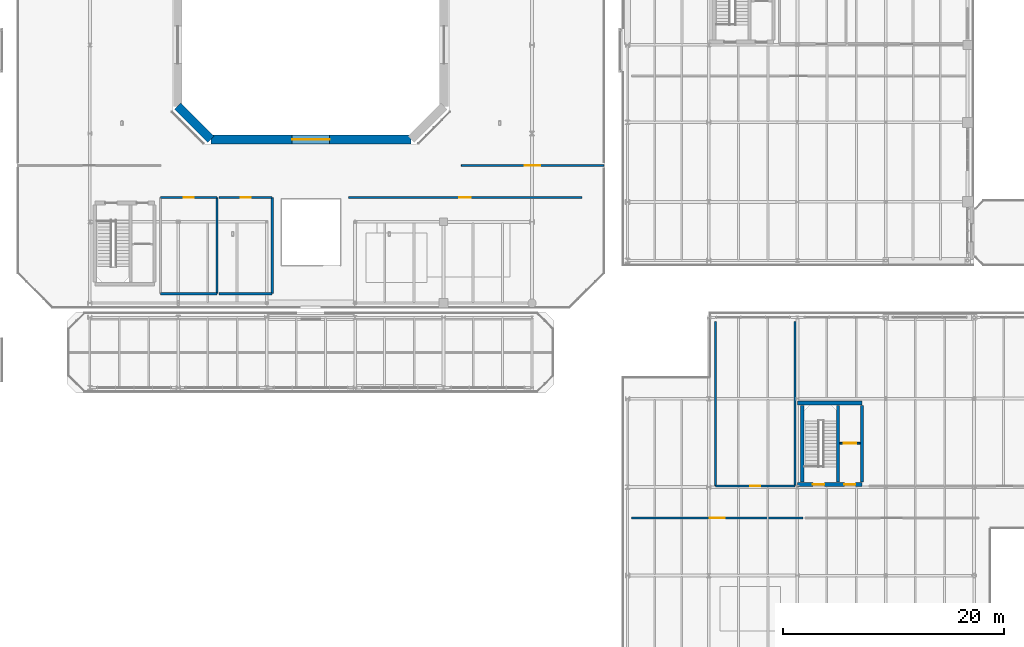
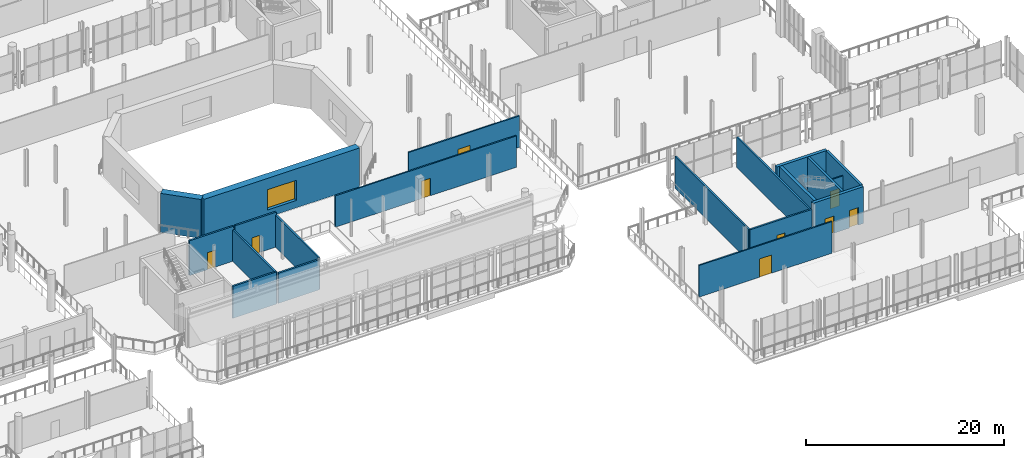
# One storey, part 70 of 93: 20 walls, 9 doors, 1 window, 10 openings.
"""IFC4 building model written with IfcOpenShell, lengths in metres."""

from ifc_helpers import new_model, si_unit, direction, frame, frame_2d, origin, place, context, subcontext, project, spatial, rectangle, extrude, material, layer, layer_set, type_object, element, fill, save


model = new_model("IFC4")

# Units and contexts
model_context = context("Model", 3, precision=1e-05, world=origin(), true_north=direction((0.0, 1.0)))
body_context = subcontext(model_context, "Body", "Model", "MODEL_VIEW")
ifc_project = project(units=[si_unit("LENGTHUNIT", "METRE"), si_unit("AREAUNIT", "SQUARE_METRE"), si_unit("VOLUMEUNIT", "CUBIC_METRE"), si_unit("PLANEANGLEUNIT", "RADIAN"), si_unit("MASSUNIT", "GRAM", prefix="KILO")], contexts=[model_context])

# Site, building, storey
site_placement = place(None, origin())
site = spatial("IfcSite", under=ifc_project, at=site_placement, CompositionType="ELEMENT")
building_placement = place(site_placement, origin())
building = spatial("IfcBuilding", under=site, at=building_placement, Name="Brisemont Oceanarium", CompositionType="ELEMENT")
storey_placement = place(building_placement, frame((0.0, 0.0, 5.39990234375)))
storey = spatial("IfcBuildingStorey", under=building, at=storey_placement, Name="L01", CompositionType="ELEMENT", Elevation=5.39990234375)

# Wall, opening, door
ifc_material_1 = material(Name="Moisture-Resistant Gypsum Steel-Stud Partition", Category="steel")
ifc_layer_1 = layer(ifc_material_1, 0.159912109375)
ifc_layer_set_1 = layer_set([ifc_layer_1], Name="Moisture-Resistant Gypsum Steel-Stud Partition")
wall_type_1 = type_object("IfcWallType", Name="IW-FB-160", PredefinedType="PARTITIONING", material=ifc_layer_set_1)
wall_1_placement = place(storey_placement, frame((131.85009765625, 19.969970703125, 0.0), z_axis=(0.0, 0.0, 1.0), x_axis=(1.0, 0.0, 0.0)))
wall_1 = element("IfcWall", 1, at=wall_1_placement, inside=storey, type_object=wall_type_1, Name="Core C4 L01 lift hoistway front wall", PredefinedType="PARTITIONING", context=body_context, shape_type="SweptSolid", body=[
    extrude(rectangle(XDim=1.83984375, YDim=0.159912109375, at=frame_2d((0.919921875, 0.0))), origin(), (0.0, 0.0, 1.0), 3.60009765625),
])
opening_1_placement = place(wall_1_placement, frame((0.3701171875, 0.0, 0.0)))
opening_1 = element("IfcOpeningElement", 2, at=opening_1_placement, cuts=wall_1, Name="Opening LD-01", PredefinedType="OPENING", context=body_context, shape_type="SweptSolid", body=[
    extrude(rectangle(XDim=1.10009765625, YDim=2.14990234375, at=frame_2d((0.550048828125, 1.074951171875))), frame((0.0, 0.08984375, 0.0), z_axis=(0.0, -1.0, 0.0), x_axis=(1.0, 0.0, 0.0)), (0.0, 0.0, 1.0), 0.179931640625),
])
ifc_material_2 = material(Name="Duplex Stainless Steel EN 1.4462", Category="steel")
door_type_1 = type_object("IfcDoorType", Name="DR-LIFT-1100X2150", OperationType="NOTDEFINED", PredefinedType="DOOR", material=ifc_material_2)
door_1_placement = place(opening_1_placement, origin())
door_1 = element("IfcDoor", 3, at=door_1_placement, inside=storey, type_object=door_type_1, Name="Lift landing door LF-04 L01", OperationType="SLIDING_TO_LEFT", OverallHeight=2.14990234375, OverallWidth=1.10009765625, PredefinedType="DOOR", context=body_context, shape_type="SweptSolid", body=[
    extrude(rectangle(XDim=1.10009765625, YDim=2.14990234375, at=frame_2d((0.550048828125, 1.074951171875))), frame((0.0, 0.02490234375, 0.0), z_axis=(0.0, -1.0, 0.0), x_axis=(1.0, 0.0, 0.0)), (0.0, 0.0, 1.0), 0.050048828125),
])
fill(opening_1, door_1)

wall_2_placement = place(storey_placement, frame((87.39990234375, 42.199951171875, 0.0), z_axis=(0.0, 0.0, 1.0), x_axis=(1.0, 0.0, 0.0)))
wall_2 = element("IfcWall", 4, at=wall_2_placement, inside=storey, type_object=wall_type_1, Name="Ocean Tank Mid-Water Pelagic Exhibit Gallery corridor partition", PredefinedType="PARTITIONING", context=body_context, shape_type="SweptSolid", body=[
    extrude(rectangle(XDim=21.10009765625, YDim=0.159912109375, at=frame_2d((10.550048828125, 0.0))), origin(), (0.0, 0.0, 1.0), 3.8681640625),
])
opening_2_placement = place(wall_2_placement, frame((10.0400390625, 0.0, 0.0)))
opening_2 = element("IfcOpeningElement", 5, at=opening_2_placement, cuts=wall_2, Name="Opening D-01", PredefinedType="OPENING", context=body_context, shape_type="SweptSolid", body=[
    extrude(rectangle(XDim=1.02001953125, YDim=2.14990234375, at=frame_2d((0.510009765625, 1.074951171875))), frame((0.0, 0.08984375, 0.0), z_axis=(0.0, -1.0, 0.0), x_axis=(1.0, 0.0, 0.0)), (0.0, 0.0, 1.0), 0.179931640625),
])
ifc_material_3 = material(Name="FSC White Oak Solid-Core Fire Door")
door_type_2 = type_object("IfcDoorType", Name="DR-RM-1020X2150", OperationType="NOTDEFINED", PredefinedType="DOOR", material=ifc_material_3)
door_2_placement = place(opening_2_placement, origin())
door_2 = element("IfcDoor", 6, at=door_2_placement, inside=storey, type_object=door_type_2, Name="D-01 door to Ocean Tank Mid-Water Pelagic Exhibit Gallery", OperationType="SINGLE_SWING_RIGHT", OverallHeight=2.14990234375, OverallWidth=1.02001953125, PredefinedType="DOOR", context=body_context, shape_type="SweptSolid", body=[
    extrude(rectangle(XDim=1.02001953125, YDim=2.14990234375, at=frame_2d((0.510009765625, 1.074951171875))), frame((0.0, 0.02490234375, 0.0), z_axis=(0.0, -1.0, 0.0), x_axis=(1.0, 0.0, 0.0)), (0.0, 0.0, 1.0), 0.050048828125),
])
fill(opening_2, door_2)

wall_3_placement = place(storey_placement, frame((97.60009765625, 45.10009765625, 0.0), z_axis=(0.0, 0.0, 1.0), x_axis=(1.0, 0.0, 0.0)))
wall_3 = element("IfcWall", 7, at=wall_3_placement, inside=storey, type_object=wall_type_1, Name="Ocean Tank Ray Lagoon Exhibit Gallery corridor partition", PredefinedType="PARTITIONING", context=body_context, shape_type="SweptSolid", body=[
    extrude(rectangle(XDim=12.89990234375, YDim=0.159912109375, at=frame_2d((6.449951171875, 0.0))), origin(), (0.0, 0.0, 1.0), 3.8681640625),
])
opening_3_placement = place(wall_3_placement, frame((5.760009765625, 0.0, 0.0)))
opening_3 = element("IfcOpeningElement", 8, at=opening_3_placement, cuts=wall_3, Name="Opening PD-01", PredefinedType="OPENING", context=body_context, shape_type="SweptSolid", body=[
    extrude(rectangle(XDim=1.3798828125, YDim=2.25, at=frame_2d((0.68994140625, 1.125))), frame((0.0, 0.08984375, 0.0), z_axis=(0.0, -1.0, 0.0), x_axis=(1.0, 0.0, 0.0)), (0.0, 0.0, 1.0), 0.179931640625),
])
ifc_material_4 = material(Name="Duplex Stainless Steel EN 1.4462", Category="steel")
door_type_3 = type_object("IfcDoorType", Name="DR-PLT-1380X2250", OperationType="NOTDEFINED", PredefinedType="DOOR", material=ifc_material_4)
door_3_placement = place(opening_3_placement, origin())
door_3 = element("IfcDoor", 9, at=door_3_placement, inside=storey, type_object=door_type_3, Name="PD-01 door to Ocean Tank Ray Lagoon Exhibit Gallery", OperationType="SINGLE_SWING_RIGHT", OverallHeight=2.25, OverallWidth=1.3798828125, PredefinedType="DOOR", context=body_context, shape_type="SweptSolid", body=[
    extrude(rectangle(XDim=1.3798828125, YDim=2.25, at=frame_2d((0.68994140625, 1.125))), frame((0.0, 0.02490234375, 0.0), z_axis=(0.0, -1.0, 0.0), x_axis=(1.0, 0.0, 0.0)), (0.0, 0.0, 1.0), 0.050048828125),
])
fill(opening_3, door_3)

wall_4_placement = place(storey_placement, frame((113.0, 13.199951171875, 0.0), z_axis=(0.0, 0.0, 1.0), x_axis=(1.0, 0.0, 0.0)))
wall_4 = element("IfcWall", 10, at=wall_4_placement, inside=storey, type_object=wall_type_1, Name="Education Centre Marine Microscopy Lab corridor partition", PredefinedType="PARTITIONING", context=body_context, shape_type="SweptSolid", body=[
    extrude(rectangle(XDim=15.5, YDim=0.159912109375, at=frame_2d((7.75, 0.0))), origin(), (0.0, 0.0, 1.0), 3.898193359375),
])
opening_4_placement = place(wall_4_placement, frame((7.06005859375, 0.0, 0.0)))
opening_4 = element("IfcOpeningElement", 11, at=opening_4_placement, cuts=wall_4, Name="Opening PD-01", PredefinedType="OPENING", context=body_context, shape_type="SweptSolid", body=[
    extrude(rectangle(XDim=1.3798828125, YDim=2.25, at=frame_2d((0.68994140625, 1.125))), frame((0.0, 0.08984375, 0.0), z_axis=(0.0, -1.0, 0.0), x_axis=(1.0, 0.0, 0.0)), (0.0, 0.0, 1.0), 0.179931640625),
])
door_4_placement = place(opening_4_placement, origin())
door_4 = element("IfcDoor", 12, at=door_4_placement, inside=storey, type_object=door_type_3, Name="PD-01 door to Education Centre Marine Microscopy Lab", OperationType="SINGLE_SWING_RIGHT", OverallHeight=2.25, OverallWidth=1.3798828125, PredefinedType="DOOR", context=body_context, shape_type="SweptSolid", body=[
    extrude(rectangle(XDim=1.3798828125, YDim=2.25, at=frame_2d((0.68994140625, 1.125))), frame((0.0, 0.02490234375, 0.0), z_axis=(0.0, -1.0, 0.0), x_axis=(1.0, 0.0, 0.0)), (0.0, 0.0, 1.0), 0.050048828125),
])
fill(opening_4, door_4)

ifc_material_5 = material(Name="Cementitious Tile-Backer Plumbing Wall")
ifc_layer_2 = layer(ifc_material_5, 0.199951171875)
ifc_layer_set_2 = layer_set([ifc_layer_2], Name="Cementitious Tile-Backer Plumbing Wall")
wall_type_2 = type_object("IfcWallType", Name="IW-PLUMB-200", PredefinedType="PLUMBINGWALL", material=ifc_layer_set_2)
wall_5_placement = place(storey_placement, frame((70.39990234375, 42.199951171875, 0.0), z_axis=(0.0, 0.0, 1.0), x_axis=(1.0, 0.0, 0.0)))
wall_5 = element("IfcWall", 13, at=wall_5_placement, inside=storey, type_object=wall_type_2, Name="Accessible WC corridor partition", PredefinedType="PLUMBINGWALL", context=body_context, shape_type="SweptSolid", body=[
    extrude(rectangle(XDim=5.10009765625, YDim=0.199951171875, at=frame_2d((2.550048828125, 0.0))), origin(), (0.0, 0.0, 1.0), 4.2900390625),
])
opening_5_placement = place(wall_5_placement, frame((2.094970703125, 0.0, 0.0)))
opening_5 = element("IfcOpeningElement", 14, at=opening_5_placement, cuts=wall_5, Name="Opening D-03", PredefinedType="OPENING", context=body_context, shape_type="SweptSolid", body=[
    extrude(rectangle(XDim=0.909912109375, YDim=2.10009765625, at=frame_2d((0.455078125, 1.050048828125))), frame((0.0, 0.10986328125, 0.0), z_axis=(0.0, -1.0, 0.0), x_axis=(1.0, 0.0, 0.0)), (0.0, 0.0, 1.0), 0.219970703125),
])
ifc_material_6 = material(Name="FSC White Oak Solid-Core Fire Door")
door_type_4 = type_object("IfcDoorType", Name="DR-WC-910X2100", OperationType="NOTDEFINED", PredefinedType="DOOR", material=ifc_material_6)
door_5_placement = place(opening_5_placement, origin())
door_5 = element("IfcDoor", 15, at=door_5_placement, inside=storey, type_object=door_type_4, Name="D-03 door to Accessible WC", OperationType="SINGLE_SWING_RIGHT", OverallHeight=2.10009765625, OverallWidth=0.909912109375, PredefinedType="DOOR", context=body_context, shape_type="SweptSolid", body=[
    extrude(rectangle(XDim=0.909912109375, YDim=2.10009765625, at=frame_2d((0.455078125, 1.050048828125))), frame((0.0, 0.02490234375, 0.0), z_axis=(0.0, -1.0, 0.0), x_axis=(1.0, 0.0, 0.0)), (0.0, 0.0, 1.0), 0.050048828125),
])
fill(opening_5, door_5)

# Walls
wall_6_placement = place(storey_placement, frame((70.39990234375, 33.5, 0.0), z_axis=(0.0, 0.0, 1.0), x_axis=(1.0, 0.0, 0.0)))
element("IfcWall", 16, at=wall_6_placement, inside=storey, type_object=wall_type_2, Name="Accessible WC enclosure wall S", PredefinedType="PLUMBINGWALL", context=body_context, shape_type="SweptSolid", body=[
    extrude(rectangle(XDim=5.10009765625, YDim=0.199951171875, at=frame_2d((2.550048828125, 0.0))), origin(), (0.0, 0.0, 1.0), 3.947021484375),
])
wall_7_placement = place(storey_placement, frame((75.5, 33.5, 0.0), z_axis=(0.0, 0.0, 1.0), x_axis=(0.0, 1.0, 0.0)))
element("IfcWall", 17, at=wall_7_placement, inside=storey, type_object=wall_type_2, Name="Accessible WC enclosure wall E", PredefinedType="PLUMBINGWALL", context=body_context, shape_type="SweptSolid", body=[
    extrude(rectangle(XDim=8.699951171875, YDim=0.199951171875, at=frame_2d((4.35009765625, 0.0))), origin(), (0.0, 0.0, 1.0), 3.878173828125),
])

# Wall, opening, door
wall_8_placement = place(storey_placement, frame((75.699951171875, 42.199951171875, 0.0), z_axis=(0.0, 0.0, 1.0), x_axis=(1.0, 0.0, 0.0)))
wall_8 = element("IfcWall", 18, at=wall_8_placement, inside=storey, type_object=wall_type_2, Name="Public Restroom corridor partition", PredefinedType="PLUMBINGWALL", context=body_context, shape_type="SweptSolid", body=[
    extrude(rectangle(XDim=4.800048828125, YDim=0.199951171875, at=frame_2d((2.39990234375, 0.0))), origin(), (0.0, 0.0, 1.0), 4.2900390625),
])
opening_6_placement = place(wall_8_placement, frame((1.945068359375, 0.0, 0.0)))
opening_6 = element("IfcOpeningElement", 19, at=opening_6_placement, cuts=wall_8, Name="Opening D-03", PredefinedType="OPENING", context=body_context, shape_type="SweptSolid", body=[
    extrude(rectangle(XDim=0.909912109375, YDim=2.10009765625, at=frame_2d((0.455078125, 1.050048828125))), frame((0.0, 0.10986328125, 0.0), z_axis=(0.0, -1.0, 0.0), x_axis=(1.0, 0.0, 0.0)), (0.0, 0.0, 1.0), 0.219970703125),
])
door_6_placement = place(opening_6_placement, origin())
door_6 = element("IfcDoor", 20, at=door_6_placement, inside=storey, type_object=door_type_4, Name="D-03 door to Public Restroom", OperationType="SINGLE_SWING_LEFT", OverallHeight=2.10009765625, OverallWidth=0.909912109375, PredefinedType="DOOR", context=body_context, shape_type="SweptSolid", body=[
    extrude(rectangle(XDim=0.909912109375, YDim=2.10009765625, at=frame_2d((0.455078125, 1.050048828125))), frame((0.0, 0.02490234375, 0.0), z_axis=(0.0, -1.0, 0.0), x_axis=(1.0, 0.0, 0.0)), (0.0, 0.0, 1.0), 0.050048828125),
])
fill(opening_6, door_6)

# Walls
wall_9_placement = place(storey_placement, frame((75.699951171875, 33.5, 0.0), z_axis=(0.0, 0.0, 1.0), x_axis=(1.0, 0.0, 0.0)))
element("IfcWall", 21, at=wall_9_placement, inside=storey, type_object=wall_type_2, Name="Public Restroom enclosure wall S", PredefinedType="PLUMBINGWALL", context=body_context, shape_type="SweptSolid", body=[
    extrude(rectangle(XDim=4.800048828125, YDim=0.199951171875, at=frame_2d((2.39990234375, 0.0))), origin(), (0.0, 0.0, 1.0), 3.718017578125),
])
wall_10_placement = place(storey_placement, frame((80.5, 33.5, 0.0), z_axis=(0.0, 0.0, 1.0), x_axis=(0.0, 1.0, 0.0)))
element("IfcWall", 22, at=wall_10_placement, inside=storey, type_object=wall_type_2, Name="Public Restroom enclosure wall E", PredefinedType="PLUMBINGWALL", context=body_context, shape_type="SweptSolid", body=[
    extrude(rectangle(XDim=8.699951171875, YDim=0.199951171875, at=frame_2d((4.35009765625, 0.0))), origin(), (0.0, 0.0, 1.0), 3.947021484375),
])

# Wall, opening, door
wall_11_placement = place(storey_placement, frame((120.60009765625, 16.10009765625, 0.0), z_axis=(0.0, 0.0, 1.0), x_axis=(1.0, 0.0, 0.0)))
wall_11 = element("IfcWall", 23, at=wall_11_placement, inside=storey, type_object=wall_type_2, Name="Accessible WC corridor partition", PredefinedType="PLUMBINGWALL", context=body_context, shape_type="SweptSolid", body=[
    extrude(rectangle(XDim=7.199951171875, YDim=0.199951171875, at=frame_2d((3.60009765625, 0.0))), origin(), (0.0, 0.0, 1.0), 3.89208984375),
])
opening_7_placement = place(wall_11_placement, frame((3.14501953125, 0.0, 0.0)))
opening_7 = element("IfcOpeningElement", 24, at=opening_7_placement, cuts=wall_11, Name="Opening D-03", PredefinedType="OPENING", context=body_context, shape_type="SweptSolid", body=[
    extrude(rectangle(XDim=0.909912109375, YDim=2.10009765625, at=frame_2d((0.455078125, 1.050048828125))), frame((0.0, 0.10986328125, 0.0), z_axis=(0.0, -1.0, 0.0), x_axis=(1.0, 0.0, 0.0)), (0.0, 0.0, 1.0), 0.219970703125),
])
door_7_placement = place(opening_7_placement, origin())
door_7 = element("IfcDoor", 25, at=door_7_placement, inside=storey, type_object=door_type_4, Name="D-03 door to Accessible WC", OperationType="SINGLE_SWING_RIGHT", OverallHeight=2.10009765625, OverallWidth=0.909912109375, PredefinedType="DOOR", context=body_context, shape_type="SweptSolid", body=[
    extrude(rectangle(XDim=0.909912109375, YDim=2.10009765625, at=frame_2d((0.455078125, 1.050048828125))), frame((0.0, 0.02490234375, 0.0), z_axis=(0.0, -1.0, 0.0), x_axis=(1.0, 0.0, 0.0)), (0.0, 0.0, 1.0), 0.050048828125),
])
fill(opening_7, door_7)

# Walls
wall_12_placement = place(storey_placement, frame((120.60009765625, 16.10009765625, 0.0), z_axis=(0.0, 0.0, 1.0), x_axis=(0.0, 1.0, 0.0)))
element("IfcWall", 26, at=wall_12_placement, inside=storey, type_object=wall_type_2, Name="Accessible WC enclosure wall W", PredefinedType="PLUMBINGWALL", context=body_context, shape_type="SweptSolid", body=[
    extrude(rectangle(XDim=14.89990234375, YDim=0.199951171875, at=frame_2d((7.449951171875, 0.0))), origin(), (0.0, 0.0, 1.0), 3.898193359375),
])
wall_13_placement = place(storey_placement, frame((127.800048828125, 16.10009765625, 0.0), z_axis=(0.0, 0.0, 1.0), x_axis=(0.0, 1.0, 0.0)))
element("IfcWall", 27, at=wall_13_placement, inside=storey, type_object=wall_type_2, Name="Accessible WC enclosure wall E", PredefinedType="PLUMBINGWALL", context=body_context, shape_type="SweptSolid", body=[
    extrude(rectangle(XDim=14.89990234375, YDim=0.199951171875, at=frame_2d((7.449951171875, 0.0))), origin(), (0.0, 0.0, 1.0), 3.738037109375),
])
ifc_material_7 = material(Name="Concrete C40/50", Category="concrete")
ifc_layer_3 = layer(ifc_material_7, 0.260009765625)
ifc_layer_set_3 = layer_set([ifc_layer_3], Name="Concrete C40/50")
wall_type_3 = type_object("IfcWallType", Name="SW-SHAFT-260", PredefinedType="SHEAR", material=ifc_layer_set_3)
for number, where, z_axis, x_axis, name in (
    (28, (133.85009765625, 16.449951171875, 0.0), (0.0, 0.0, 1.0), (0.0, 1.0, 0.0), "Core C4 L01 E RC shear wall"),
    (29, (131.669921875, 16.449951171875, 0.0), (0.0, 0.0, 1.0), (0.0, 1.0, 0.0), "Core C4 L01 MID RC shear wall"),
):
    element("IfcWall", number, at=place(storey_placement, frame(where, z_axis=z_axis, x_axis=x_axis)), inside=storey, type_object=wall_type_3, Name=name, PredefinedType="SHEAR", context=body_context, shape_type="SweptSolid", body=[
        extrude(rectangle(XDim=6.949951171875, YDim=0.260009765625, at=frame_2d((3.47509765625, 0.0))), origin(), (0.0, 0.0, 1.0), 4.530029296875),
    ])

# Wall, openings, doors
ifc_material_8 = material(Name="Concrete C40/50", Category="concrete")
ifc_layer_4 = layer(ifc_material_8, 0.35009765625)
ifc_layer_set_4 = layer_set([ifc_layer_4], Name="Concrete C40/50")
wall_type_4 = type_object("IfcWallType", Name="SW-STAIR-350", PredefinedType="SHEAR", material=ifc_layer_set_4)
wall_14_placement = place(storey_placement, frame((128.0, 16.25, 0.0), z_axis=(0.0, 0.0, 1.0), x_axis=(1.0, 0.0, 0.0)))
wall_14 = element("IfcWall", 30, at=wall_14_placement, inside=storey, type_object=wall_type_4, Name="Core C4 L01 corridor RC shear wall", PredefinedType="SHEAR", context=body_context, shape_type="SweptSolid", body=[
    extrude(rectangle(XDim=5.85009765625, YDim=0.35009765625, at=frame_2d((2.925048828125, 0.0))), origin(), (0.0, 0.0, 1.0), 4.530029296875),
])
opening_8_placement = place(wall_14_placement, frame((1.39990234375, 0.0, 0.0)))
opening_8 = element("IfcOpeningElement", 31, at=opening_8_placement, cuts=wall_14, Name="Opening SD-02", PredefinedType="OPENING", context=body_context, shape_type="SweptSolid", body=[
    extrude(rectangle(XDim=1.050048828125, YDim=2.10009765625, at=frame_2d((0.52490234375, 1.050048828125))), frame((0.0, 0.18505859375, 0.0), z_axis=(0.0, -1.0, 0.0), x_axis=(1.0, 0.0, 0.0)), (0.0, 0.0, 1.0), 0.3701171875),
])
opening_9_placement = place(wall_14_placement, frame((4.25, 0.0, 0.0)))
opening_9 = element("IfcOpeningElement", 32, at=opening_9_placement, cuts=wall_14, Name="Opening FD90-2", PredefinedType="OPENING", context=body_context, shape_type="SweptSolid", body=[
    extrude(rectangle(XDim=1.0, YDim=2.14990234375, at=frame_2d((0.5, 1.074951171875))), frame((0.0, 0.18505859375, 0.0), z_axis=(0.0, -1.0, 0.0), x_axis=(1.0, 0.0, 0.0)), (0.0, 0.0, 1.0), 0.3701171875),
])
ifc_material_9 = material(Name="FSC White Oak Solid-Core Fire Door")
door_type_5 = type_object("IfcDoorType", Name="DR-LOB-1000X2150", OperationType="NOTDEFINED", PredefinedType="DOOR", material=ifc_material_9)
door_8_placement = place(opening_9_placement, origin())
door_8 = element("IfcDoor", 33, at=door_8_placement, inside=storey, type_object=door_type_5, Name="Lift lobby door C4 L01", OperationType="SINGLE_SWING_LEFT", OverallHeight=2.14990234375, OverallWidth=1.0, PredefinedType="DOOR", context=body_context, shape_type="SweptSolid", body=[
    extrude(rectangle(XDim=1.0, YDim=2.14990234375, at=frame_2d((0.5, 1.074951171875))), frame((0.0, 0.02490234375, 0.0), z_axis=(0.0, -1.0, 0.0), x_axis=(1.0, 0.0, 0.0)), (0.0, 0.0, 1.0), 0.050048828125),
])
fill(opening_9, door_8)
ifc_material_10 = material(Name="Duplex Stainless Steel EN 1.4462", Category="steel")
door_type_6 = type_object("IfcDoorType", Name="DR-STAIR-1050X2100", OperationType="NOTDEFINED", PredefinedType="DOOR", material=ifc_material_10)
door_9_placement = place(opening_8_placement, origin())
door_9 = element("IfcDoor", 34, at=door_9_placement, inside=storey, type_object=door_type_6, Name="Exit stair door ST-04 L01", OperationType="SINGLE_SWING_RIGHT", OverallHeight=2.10009765625, OverallWidth=1.050048828125, PredefinedType="DOOR", context=body_context, shape_type="SweptSolid", body=[
    extrude(rectangle(XDim=1.050048828125, YDim=2.10009765625, at=frame_2d((0.52490234375, 1.050048828125))), frame((0.0, 0.02490234375, 0.0), z_axis=(0.0, -1.0, 0.0), x_axis=(1.0, 0.0, 0.0)), (0.0, 0.0, 1.0), 0.050048828125),
])
fill(opening_8, door_9)

# Walls
wall_15_placement = place(storey_placement, frame((128.0, 23.60009765625, 0.0), z_axis=(0.0, 0.0, 1.0), x_axis=(1.0, 0.0, 0.0)))
element("IfcWall", 35, at=wall_15_placement, inside=storey, type_object=wall_type_4, Name="Core C4 L01 BCK RC shear wall", PredefinedType="SHEAR", context=body_context, shape_type="SweptSolid", body=[
    extrude(rectangle(XDim=5.85009765625, YDim=0.35009765625, at=frame_2d((2.925048828125, 0.0))), origin(), (0.0, 0.0, 1.0), 4.530029296875),
])
wall_16_placement = place(storey_placement, frame((128.449951171875, 16.449951171875, 0.0), z_axis=(0.0, 0.0, 1.0), x_axis=(0.0, 1.0, 0.0)))
element("IfcWall", 36, at=wall_16_placement, inside=storey, type_object=wall_type_4, Name="Core C4 L01 W RC shear wall", PredefinedType="SHEAR", context=body_context, shape_type="SweptSolid", body=[
    extrude(rectangle(XDim=6.949951171875, YDim=0.35009765625, at=frame_2d((3.47509765625, 0.0))), origin(), (0.0, 0.0, 1.0), 4.530029296875),
])

# Wall, opening, window
ifc_material_11 = material(Name="Concrete C40/50", Category="concrete")
ifc_layer_5 = layer(ifc_material_11, 0.800048828125)
ifc_layer_set_5 = layer_set([ifc_layer_5], Name="Concrete C40/50")
wall_type_5 = type_object("IfcWallType", Name="SW-TANK-800", PredefinedType="SOLIDWALL", material=ifc_layer_set_5)
wall_17_placement = place(storey_placement, frame((74.949951171875, 47.449951171875, 0.0), z_axis=(0.0, 0.0, 1.0), x_axis=(1.0, 0.0, 0.0)))
wall_17 = element("IfcWall", 37, at=wall_17_placement, inside=storey, type_object=wall_type_5, Name="V4 Ocean Tank L01 vessel wall 1", PredefinedType="SOLIDWALL", context=body_context, shape_type="SweptSolid", body=[
    extrude(rectangle(XDim=18.10009765625, YDim=0.800048828125, at=frame_2d((9.050048828125, 0.0))), origin(), (0.0, 0.0, 1.0), 4.800048828125),
])
opening_10_placement = place(wall_17_placement, frame((7.35009765625, 0.0, 0.89990234375)))
opening_10 = element("IfcOpeningElement", 38, at=opening_10_placement, cuts=wall_17, Name="Opening VW-03", PredefinedType="OPENING", context=body_context, shape_type="SweptSolid", body=[
    extrude(rectangle(XDim=3.39990234375, YDim=2.5, at=frame_2d((1.699951171875, 1.25))), frame((0.0, 0.409912109375, 0.0), z_axis=(0.0, -1.0, 0.0), x_axis=(1.0, 0.0, 0.0)), (0.0, 0.0, 1.0), 0.820068359375),
])
ifc_material_12 = material(Name="Cast Polymethyl Methacrylate PMMA")
window_type = type_object("IfcWindowType", Name="WIN-PMMA-3400X2500", PartitioningType="SINGLE_PANEL", PredefinedType="WINDOW", material=ifc_material_12)
window_placement = place(opening_10_placement, origin())
window = element("IfcWindow", 39, at=window_placement, inside=storey, type_object=window_type, Name="VW-03 cast-PMMA ocean tank viewing window L01.1", OverallHeight=2.5, OverallWidth=3.39990234375, PartitioningType="SINGLE_PANEL", PredefinedType="WINDOW", context=body_context, shape_type="SweptSolid", body=[
    extrude(rectangle(XDim=3.39990234375, YDim=2.5, at=frame_2d((1.699951171875, 1.25))), frame((0.0, 0.030029296875, 0.0), z_axis=(0.0, -1.0, 0.0), x_axis=(1.0, 0.0, 0.0)), (0.0, 0.0, 1.0), 0.06005859375),
])
fill(opening_10, window)

# Wall
wall_18_placement = place(storey_placement, frame((71.949951171875, 50.449951171875, 0.0), z_axis=(0.0, 0.0, 1.0), x_axis=(0.707106781187, -0.707106781187, 0.0)))
element("IfcWall", 40, at=wall_18_placement, inside=storey, type_object=wall_type_5, Name="V4 Ocean Tank L01 vessel wall 8", PredefinedType="SOLIDWALL", context=body_context, shape_type="SweptSolid", body=[
    extrude(rectangle(XDim=4.24267578125, YDim=0.800048828125, at=frame_2d((2.121337890625, 0.0))), origin(), (0.0, 0.0, 1.0), 4.800048828125),
])

save(model, "model.ifc")
